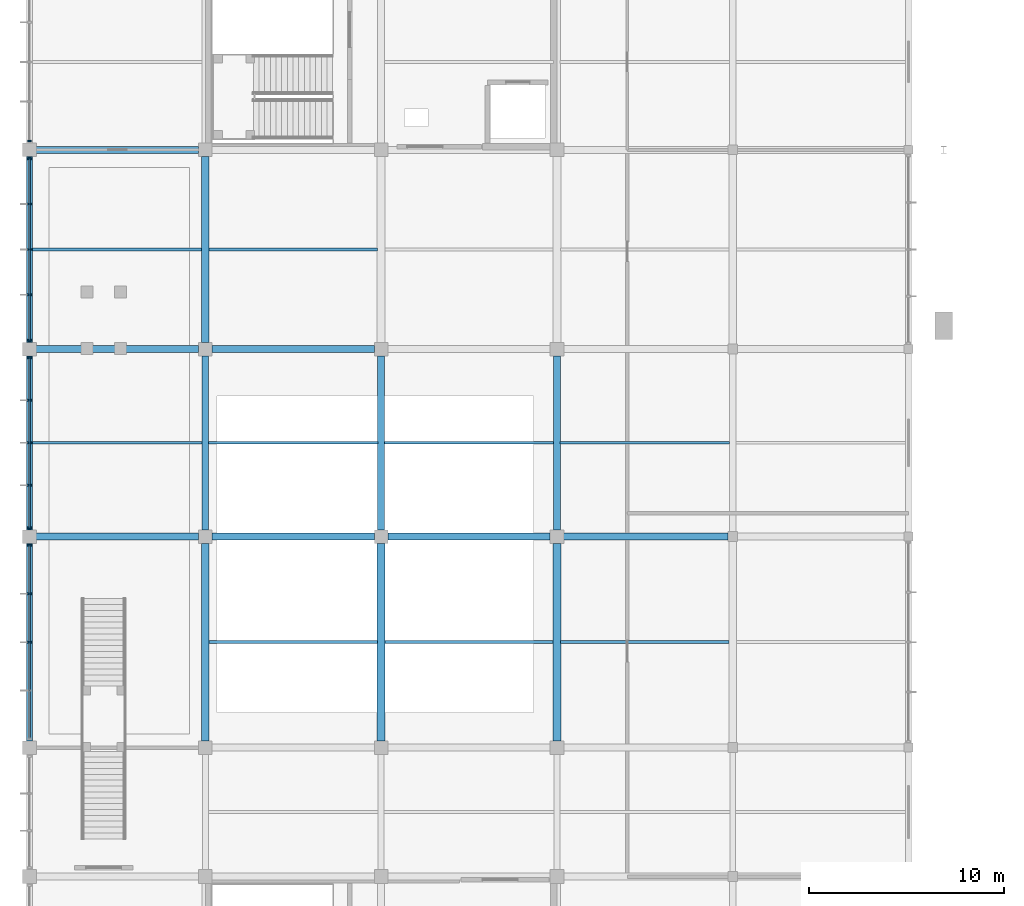
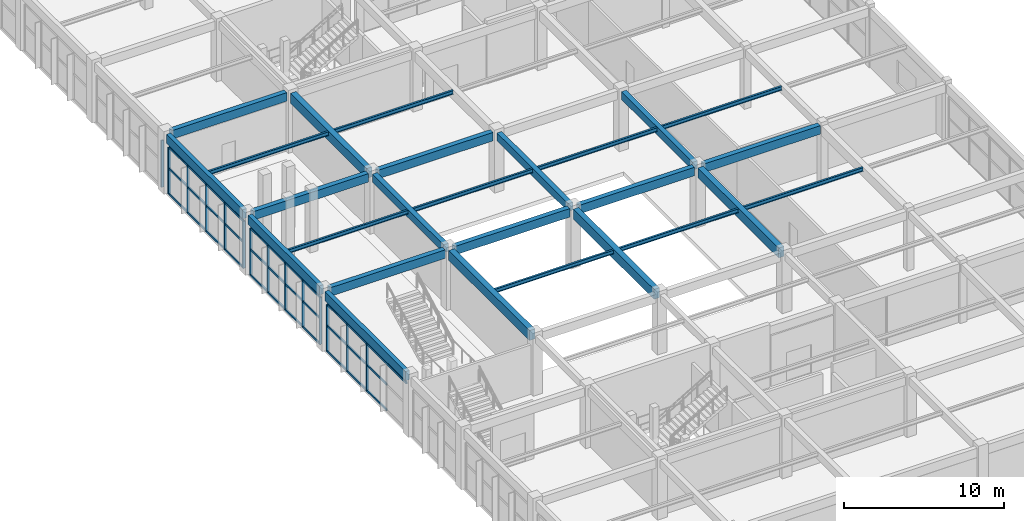
# One storey, part 15 of 74: 39 members, 26 beams, 4 elements without a shape of their own.
"""IFC4 building model written with IfcOpenShell, lengths in metres."""

from ifc_helpers import new_model, si_unit, direction, frame, origin, origin_2d, place, context, subcontext, project, spatial, rectangle, i_section, extrude, material, material_profile, profile_set, type_object, element, aggregate, save


model = new_model("IFC4")

# Units and contexts
model_context = context("Model", 3, precision=1e-05, world=origin(), true_north=direction((0.0, 1.0)))
body_context = subcontext(model_context, "Body", "Model", "MODEL_VIEW")
ifc_project = project(units=[si_unit("LENGTHUNIT", "METRE"), si_unit("AREAUNIT", "SQUARE_METRE"), si_unit("VOLUMEUNIT", "CUBIC_METRE"), si_unit("PLANEANGLEUNIT", "RADIAN"), si_unit("MASSUNIT", "GRAM", prefix="KILO")], contexts=[model_context])

# Site, building, storey
site_placement = place(None, origin())
site = spatial("IfcSite", under=ifc_project, at=site_placement, CompositionType="ELEMENT")
building_placement = place(site_placement, origin())
building = spatial("IfcBuilding", under=site, at=building_placement, Name="Suirenkawa Promenade Aquatics Centre", CompositionType="ELEMENT")
storey_placement = place(building_placement, frame((0.0, 0.0, 4.800048828125)))
storey = spatial("IfcBuildingStorey", under=building, at=storey_placement, Name="L01", CompositionType="ELEMENT", Elevation=4.800048828125)

# Beams
ifc_material_1 = material(Name="Steel IS 2062 E350 (Grade 350)", Category="steel")
ifc_material_profile_1 = material_profile(ifc_material_1, i_section(OverallWidth=0.139892578125, OverallDepth=0.300048828125, WebThickness=0.008056640625, FlangeThickness=0.012939453125, at=origin_2d()), Name="ISMB 300", Category="steel")
ifc_profile_set_1 = profile_set([ifc_material_profile_1], Name="Steel IS 2062 E350 (Grade 350)")
beam_type_1 = type_object("IfcBeamType", Name="BT-JOIST-ISMB300", PredefinedType="JOIST", material=ifc_profile_set_1)
beam_1_placement = place(storey_placement, frame((0.14404296875, 44.39990234375, 4.387939453125), z_axis=(1.0, 0.0, 0.0), x_axis=(0.0, 1.0, 0.0)))
element("IfcBeam", 1, at=beam_1_placement, inside=storey, type_object=beam_type_1, Name="Secondary floor joist JS-02 BM-0524", PredefinedType="JOIST", context=body_context, shape_type="SweptSolid", body=[
    extrude(i_section(OverallWidth=0.139892578125, OverallDepth=0.300048828125, WebThickness=0.008056640625, FlangeThickness=0.012939453125, at=origin_2d()), origin(), (0.0, 0.0, 1.0), 8.68701171875),
])
beam_2_placement = place(storey_placement, frame((0.14404296875, 54.300048828125, 4.387939453125), z_axis=(1.0, 0.0, 0.0), x_axis=(0.0, 1.0, 0.0)))
element("IfcBeam", 2, at=beam_2_placement, inside=storey, type_object=beam_type_1, Name="Secondary floor joist JS-02 BM-0525", PredefinedType="JOIST", context=body_context, shape_type="SweptSolid", body=[
    extrude(i_section(OverallWidth=0.139892578125, OverallDepth=0.300048828125, WebThickness=0.008056640625, FlangeThickness=0.012939453125, at=origin_2d()), origin(), (0.0, 0.0, 1.0), 8.661865234375),
])
beam_3_placement = place(storey_placement, frame((9.194091796875, 34.199951171875, 4.387939453125), z_axis=(1.0, 0.0, 0.0), x_axis=(0.0, 1.0, 0.0)))
element("IfcBeam", 3, at=beam_3_placement, inside=storey, type_object=beam_type_1, Name="Secondary floor joist JS-02 BM-0534", PredefinedType="JOIST", context=body_context, shape_type="SweptSolid", body=[
    extrude(i_section(OverallWidth=0.139892578125, OverallDepth=0.300048828125, WebThickness=0.008056640625, FlangeThickness=0.012939453125, at=origin_2d()), origin(), (0.0, 0.0, 1.0), 8.61181640625),
])
beam_4_placement = place(storey_placement, frame((9.1689453125, 44.39990234375, 4.387939453125), z_axis=(1.0, 0.0, 0.0), x_axis=(0.0, 1.0, 0.0)))
element("IfcBeam", 4, at=beam_4_placement, inside=storey, type_object=beam_type_1, Name="Secondary floor joist JS-02 BM-0535", PredefinedType="JOIST", context=body_context, shape_type="SweptSolid", body=[
    extrude(i_section(OverallWidth=0.139892578125, OverallDepth=0.300048828125, WebThickness=0.008056640625, FlangeThickness=0.012939453125, at=origin_2d()), origin(), (0.0, 0.0, 1.0), 8.662109375),
])
for number, where, z_axis, x_axis, name in (
    (5, (9.194091796875, 54.300048828125, 4.387939453125), (1.0, 0.0, 0.0), (0.0, 1.0, 0.0), "Secondary floor joist JS-02 BM-0536"),
    (6, (18.194091796875, 34.199951171875, 4.387939453125), (1.0, 0.0, 0.0), (0.0, 1.0, 0.0), "Secondary floor joist JS-02 BM-0545"),
):
    element("IfcBeam", number, at=place(storey_placement, frame(where, z_axis=z_axis, x_axis=x_axis)), inside=storey, type_object=beam_type_1, Name=name, PredefinedType="JOIST", context=body_context, shape_type="SweptSolid", body=[
        extrude(i_section(OverallWidth=0.139892578125, OverallDepth=0.300048828125, WebThickness=0.008056640625, FlangeThickness=0.012939453125, at=origin_2d()), origin(), (0.0, 0.0, 1.0), 8.61181640625),
    ])
beam_5_placement = place(storey_placement, frame((18.1689453125, 44.39990234375, 4.387939453125), z_axis=(1.0, 0.0, 0.0), x_axis=(0.0, 1.0, 0.0)))
element("IfcBeam", 7, at=beam_5_placement, inside=storey, type_object=beam_type_1, Name="Secondary floor joist JS-02 BM-0546", PredefinedType="JOIST", context=body_context, shape_type="SweptSolid", body=[
    extrude(i_section(OverallWidth=0.139892578125, OverallDepth=0.300048828125, WebThickness=0.008056640625, FlangeThickness=0.012939453125, at=origin_2d()), origin(), (0.0, 0.0, 1.0), 8.662109375),
])
beam_6_placement = place(storey_placement, frame((27.194091796875, 34.199951171875, 4.387939453125), z_axis=(1.0, 0.0, 0.0), x_axis=(0.0, 1.0, 0.0)))
element("IfcBeam", 8, at=beam_6_placement, inside=storey, type_object=beam_type_1, Name="Secondary floor joist JS-02 BM-0557", PredefinedType="JOIST", context=body_context, shape_type="SweptSolid", body=[
    extrude(i_section(OverallWidth=0.139892578125, OverallDepth=0.300048828125, WebThickness=0.008056640625, FlangeThickness=0.012939453125, at=origin_2d()), origin(), (0.0, 0.0, 1.0), 8.61181640625),
])
beam_7_placement = place(storey_placement, frame((27.1689453125, 44.39990234375, 4.387939453125), z_axis=(1.0, 0.0, 0.0), x_axis=(0.0, 1.0, 0.0)))
element("IfcBeam", 9, at=beam_7_placement, inside=storey, type_object=beam_type_1, Name="Secondary floor joist JS-02 BM-0558", PredefinedType="JOIST", context=body_context, shape_type="SweptSolid", body=[
    extrude(i_section(OverallWidth=0.139892578125, OverallDepth=0.300048828125, WebThickness=0.008056640625, FlangeThickness=0.012939453125, at=origin_2d()), origin(), (0.0, 0.0, 1.0), 8.662109375),
])
ifc_material_2 = material(Name="Concrete M35", Category="concrete")
ifc_material_profile_2 = material_profile(ifc_material_2, rectangle(XDim=0.35009765625, YDim=0.60009765625, at=origin_2d()), Name="RC BM 350x600", Category="concrete")
ifc_profile_set_2 = profile_set([ifc_material_profile_2], Name="Concrete M35")
beam_type_2 = type_object("IfcBeamType", Name="BT-RC-350x600", PredefinedType="BEAM", material=ifc_profile_set_2)
for number, where, z_axis, x_axis, name in (
    (10, (9.0, 39.944091796875, 4.239990234375), (0.0, 1.0, 0.0), (-1.0, 0.0, 0.0), "Floor beam BM-02 BM-0466"),
    (11, (18.0, 39.944091796875, 4.239990234375), (0.0, 1.0, 0.0), (-1.0, 0.0, 0.0), "Floor beam BM-02 BM-0478"),
    (12, (27.0, 39.944091796875, 4.239990234375), (0.0, 1.0, 0.0), (-1.0, 0.0, 0.0), "Floor beam BM-02 BM-0490"),
):
    element("IfcBeam", number, at=place(storey_placement, frame(where, z_axis=z_axis, x_axis=x_axis)), inside=storey, type_object=beam_type_2, Name=name, PredefinedType="BEAM", context=body_context, shape_type="SweptSolid", body=[
        extrude(rectangle(XDim=0.35009765625, YDim=0.60009765625, at=origin_2d()), origin(), (0.0, 0.0, 1.0), 8.911865234375),
    ])
ifc_material_profile_3 = material_profile(ifc_material_2, rectangle(XDim=0.35009765625, YDim=0.64990234375, at=origin_2d()), Name="RC BM 350x650", Category="concrete")
ifc_profile_set_3 = profile_set([ifc_material_profile_3], Name="Concrete M35")
beam_type_3 = type_object("IfcBeamType", Name="BT-RC-350x650", PredefinedType="BEAM", material=ifc_profile_set_3)
for number, where, z_axis, x_axis, name in (
    (13, (0.343994140625, 39.60009765625, 4.21484375), (1.0, 0.0, 0.0), (0.0, 1.0, 0.0), "Floor beam BM-03 BM-0405"),
    (14, (9.343994140625, 39.60009765625, 4.21484375), (1.0, 0.0, 0.0), (0.0, 1.0, 0.0), "Floor beam BM-03 BM-0406"),
    (15, (18.343994140625, 39.60009765625, 4.21484375), (1.0, 0.0, 0.0), (0.0, 1.0, 0.0), "Floor beam BM-03 BM-0407"),
):
    element("IfcBeam", number, at=place(storey_placement, frame(where, z_axis=z_axis, x_axis=x_axis)), inside=storey, type_object=beam_type_3, Name=name, PredefinedType="BEAM", context=body_context, shape_type="SweptSolid", body=[
        extrude(rectangle(XDim=0.35009765625, YDim=0.64990234375, at=origin_2d()), origin(), (0.0, 0.0, 1.0), 8.31201171875),
    ])
beam_8_placement = place(storey_placement, frame((27.343994140625, 39.60009765625, 4.21484375), z_axis=(1.0, 0.0, 0.0), x_axis=(0.0, 1.0, 0.0)))
element("IfcBeam", 16, at=beam_8_placement, inside=storey, type_object=beam_type_3, Name="Floor beam BM-03 BM-0408", PredefinedType="BEAM", context=body_context, shape_type="SweptSolid", body=[
    extrude(rectangle(XDim=0.35009765625, YDim=0.64990234375, at=origin_2d()), origin(), (0.0, 0.0, 1.0), 8.412109375),
])
for number, where, z_axis, x_axis, name in (
    (17, (0.343994140625, 49.199951171875, 4.21484375), (1.0, 0.0, 0.0), (0.0, 1.0, 0.0), "Floor beam BM-03 BM-0410"),
    (18, (9.343994140625, 49.199951171875, 4.21484375), (1.0, 0.0, 0.0), (0.0, 1.0, 0.0), "Floor beam BM-03 BM-0411"),
    (19, (0.343994140625, 59.39990234375, 4.21484375), (1.0, 0.0, 0.0), (0.0, 1.0, 0.0), "Floor beam BM-03 BM-0415"),
):
    element("IfcBeam", number, at=place(storey_placement, frame(where, z_axis=z_axis, x_axis=x_axis)), inside=storey, type_object=beam_type_3, Name=name, PredefinedType="BEAM", context=body_context, shape_type="SweptSolid", body=[
        extrude(rectangle(XDim=0.35009765625, YDim=0.64990234375, at=origin_2d()), origin(), (0.0, 0.0, 1.0), 8.31201171875),
    ])
ifc_material_3 = material(Name="Concrete M40", Category="concrete")
ifc_material_profile_4 = material_profile(ifc_material_3, rectangle(XDim=0.39990234375, YDim=0.75, at=origin_2d()), Name="RC BM 400x750", Category="concrete")
ifc_profile_set_4 = profile_set([ifc_material_profile_4], Name="Concrete M40")
beam_type_4 = type_object("IfcBeamType", Name="BT-RC-400x750", PredefinedType="BEAM", material=ifc_profile_set_4)
beam_9_placement = place(storey_placement, frame((9.0, 29.14404296875, 4.1650390625), z_axis=(0.0, 1.0, 0.0), x_axis=(-1.0, 0.0, 0.0)))
element("IfcBeam", 20, at=beam_9_placement, inside=storey, type_object=beam_type_4, Name="Floor beam BM-05 BM-0465", PredefinedType="BEAM", context=body_context, shape_type="SweptSolid", body=[
    extrude(rectangle(XDim=0.39990234375, YDim=0.75, at=origin_2d()), origin(), (0.0, 0.0, 1.0), 10.112060546875),
])
beam_10_placement = place(storey_placement, frame((9.0, 49.5439453125, 4.1650390625), z_axis=(0.0, 1.0, 0.0), x_axis=(-1.0, 0.0, 0.0)))
element("IfcBeam", 21, at=beam_10_placement, inside=storey, type_object=beam_type_4, Name="Floor beam BM-05 BM-0467", PredefinedType="BEAM", context=body_context, shape_type="SweptSolid", body=[
    extrude(rectangle(XDim=0.39990234375, YDim=0.75, at=origin_2d()), origin(), (0.0, 0.0, 1.0), 9.511962890625),
])
for number, where, z_axis, x_axis, name in (
    (22, (18.0, 29.14404296875, 4.1650390625), (0.0, 1.0, 0.0), (-1.0, 0.0, 0.0), "Floor beam BM-05 BM-0477"),
    (23, (27.0, 29.14404296875, 4.1650390625), (0.0, 1.0, 0.0), (-1.0, 0.0, 0.0), "Floor beam BM-05 BM-0489"),
):
    element("IfcBeam", number, at=place(storey_placement, frame(where, z_axis=z_axis, x_axis=x_axis)), inside=storey, type_object=beam_type_4, Name=name, PredefinedType="BEAM", context=body_context, shape_type="SweptSolid", body=[
        extrude(rectangle(XDim=0.39990234375, YDim=0.75, at=origin_2d()), origin(), (0.0, 0.0, 1.0), 10.112060546875),
    ])
ifc_material_profile_5 = material_profile(ifc_material_3, rectangle(XDim=0.300048828125, YDim=0.699951171875, at=origin_2d()), Name="RC SPANDREL 300x700", Category="concrete")
ifc_profile_set_5 = profile_set([ifc_material_profile_5], Name="Concrete M40")
beam_type_5 = type_object("IfcBeamType", Name="BT-SPANDREL-300x700", PredefinedType="SPANDREL", material=ifc_profile_set_5)
beam_11_placement = place(storey_placement, frame((0.0, 29.14404296875, 4.18994140625), z_axis=(0.0, 1.0, 0.0), x_axis=(-1.0, 0.0, 0.0)))
element("IfcBeam", 24, at=beam_11_placement, inside=storey, type_object=beam_type_5, Name="Floor beam SP-01 BM-0453", PredefinedType="SPANDREL", context=body_context, shape_type="SweptSolid", body=[
    extrude(rectangle(XDim=0.300048828125, YDim=0.699951171875, at=origin_2d()), origin(), (0.0, 0.0, 1.0), 10.112060546875),
])
beam_12_placement = place(storey_placement, frame((0.0, 39.944091796875, 4.18994140625), z_axis=(0.0, 1.0, 0.0), x_axis=(-1.0, 0.0, 0.0)))
element("IfcBeam", 25, at=beam_12_placement, inside=storey, type_object=beam_type_5, Name="Floor beam SP-01 BM-0454", PredefinedType="SPANDREL", context=body_context, shape_type="SweptSolid", body=[
    extrude(rectangle(XDim=0.300048828125, YDim=0.699951171875, at=origin_2d()), origin(), (0.0, 0.0, 1.0), 8.911865234375),
])
beam_13_placement = place(storey_placement, frame((0.0, 49.5439453125, 4.18994140625), z_axis=(0.0, 1.0, 0.0), x_axis=(-1.0, 0.0, 0.0)))
element("IfcBeam", 26, at=beam_13_placement, inside=storey, type_object=beam_type_5, Name="Floor beam SP-01 BM-0455", PredefinedType="SPANDREL", context=body_context, shape_type="SweptSolid", body=[
    extrude(rectangle(XDim=0.300048828125, YDim=0.699951171875, at=origin_2d()), origin(), (0.0, 0.0, 1.0), 9.511962890625),
])

# Curtain wall, members
ifc_material_4 = material(Name="Anodised aluminium 6063-T6", Category="aluminium")
curtain_wall_type_1 = type_object("IfcCurtainWallType", Name="CWAT-V5WL01-52", PredefinedType="NOTDEFINED", material=ifc_material_4)
curtain_wall_1_placement = place(storey_placement, origin())
curtain_wall_1 = element("IfcCurtainWall", 27, at=curtain_wall_1_placement, inside=storey, type_object=curtain_wall_type_1, Name="Curtain wall CWA-52 CW-099", PredefinedType="NOTDEFINED")
ifc_material_profile_6 = material_profile(ifc_material_4, rectangle(XDim=0.094970703125, YDim=0.18994140625, at=origin_2d()), Name="ALU MULL 95x190", Category="aluminium")
ifc_profile_set_6 = profile_set([ifc_material_profile_6], Name="Anodised aluminium 6063-T6")
member_type_1 = type_object("IfcMemberType", Name="CWM-190x95", PredefinedType="MULLION", material=ifc_profile_set_6)
member_1_placement = place(storey_placement, frame((0.0, 34.199951171875, 0.0), z_axis=(0.0, 0.0, 1.0), x_axis=(0.0, 1.0, 0.0)))
member_1 = element("IfcMember", 28, at=member_1_placement, type_object=member_type_1, Name="Mullion ML-02 CWM-01969", PredefinedType="MULLION", context=body_context, shape_type="SweptSolid", body=[
    extrude(rectangle(XDim=0.094970703125, YDim=0.18994140625, at=origin_2d()), origin(), (0.0, 0.0, 1.0), 3.570068359375),
])
member_2_placement = place(storey_placement, frame((0.0, 36.675537109375, 0.0), z_axis=(0.0, 0.0, 1.0), x_axis=(0.0, 1.0, 0.0)))
member_2 = element("IfcMember", 29, at=member_2_placement, type_object=member_type_1, Name="Mullion ML-02 CWM-01970", PredefinedType="MULLION", context=body_context, shape_type="SweptSolid", body=[
    extrude(rectangle(XDim=0.094970703125, YDim=0.18994140625, at=origin_2d()), origin(), (0.0, 0.0, 1.0), 3.570068359375),
])
member_3_placement = place(storey_placement, frame((0.0, 39.15087890625, 0.0), z_axis=(0.0, 0.0, 1.0), x_axis=(0.0, 1.0, 0.0)))
member_3 = element("IfcMember", 30, at=member_3_placement, type_object=member_type_1, Name="Mullion ML-02 CWM-01971", PredefinedType="MULLION", context=body_context, shape_type="SweptSolid", body=[
    extrude(rectangle(XDim=0.094970703125, YDim=0.18994140625, at=origin_2d()), origin(), (0.0, 0.0, 1.0), 3.570068359375),
])

curtain_wall_type_2 = type_object("IfcCurtainWallType", Name="CWAT-V5WL01-54", PredefinedType="NOTDEFINED", material=ifc_material_4)
curtain_wall_2_placement = place(storey_placement, origin())
curtain_wall_2 = element("IfcCurtainWall", 31, at=curtain_wall_2_placement, inside=storey, type_object=curtain_wall_type_2, Name="Curtain wall CWA-54 CW-101", PredefinedType="NOTDEFINED")
member_4_placement = place(storey_placement, frame((0.0, 40.049072265625, 0.0), z_axis=(0.0, 0.0, 1.0), x_axis=(0.0, 1.0, 0.0)))
member_4 = element("IfcMember", 32, at=member_4_placement, type_object=member_type_1, Name="Mullion ML-02 CWM-02011", PredefinedType="MULLION", context=body_context, shape_type="SweptSolid", body=[
    extrude(rectangle(XDim=0.094970703125, YDim=0.18994140625, at=origin_2d()), origin(), (0.0, 0.0, 1.0), 3.570068359375),
])
member_5_placement = place(storey_placement, frame((0.0, 42.224609375, 0.0), z_axis=(0.0, 0.0, 1.0), x_axis=(0.0, 1.0, 0.0)))
member_5 = element("IfcMember", 33, at=member_5_placement, type_object=member_type_1, Name="Mullion ML-02 CWM-02012", PredefinedType="MULLION", context=body_context, shape_type="SweptSolid", body=[
    extrude(rectangle(XDim=0.094970703125, YDim=0.18994140625, at=origin_2d()), origin(), (0.0, 0.0, 1.0), 3.570068359375),
])
member_6_placement = place(storey_placement, frame((0.0, 44.39990234375, 0.0), z_axis=(0.0, 0.0, 1.0), x_axis=(0.0, 1.0, 0.0)))
member_6 = element("IfcMember", 34, at=member_6_placement, type_object=member_type_1, Name="Mullion ML-02 CWM-02013", PredefinedType="MULLION", context=body_context, shape_type="SweptSolid", body=[
    extrude(rectangle(XDim=0.094970703125, YDim=0.18994140625, at=origin_2d()), origin(), (0.0, 0.0, 1.0), 3.570068359375),
])
member_7_placement = place(storey_placement, frame((0.0, 46.575439453125, 0.0), z_axis=(0.0, 0.0, 1.0), x_axis=(0.0, 1.0, 0.0)))
member_7 = element("IfcMember", 35, at=member_7_placement, type_object=member_type_1, Name="Mullion ML-02 CWM-02014", PredefinedType="MULLION", context=body_context, shape_type="SweptSolid", body=[
    extrude(rectangle(XDim=0.094970703125, YDim=0.18994140625, at=origin_2d()), origin(), (0.0, 0.0, 1.0), 3.570068359375),
])
member_8_placement = place(storey_placement, frame((0.0, 48.7509765625, 0.0), z_axis=(0.0, 0.0, 1.0), x_axis=(0.0, 1.0, 0.0)))
member_8 = element("IfcMember", 36, at=member_8_placement, type_object=member_type_1, Name="Mullion ML-02 CWM-02015", PredefinedType="MULLION", context=body_context, shape_type="SweptSolid", body=[
    extrude(rectangle(XDim=0.094970703125, YDim=0.18994140625, at=origin_2d()), origin(), (0.0, 0.0, 1.0), 3.570068359375),
])

curtain_wall_type_3 = type_object("IfcCurtainWallType", Name="CWAT-V5WL01-55", PredefinedType="NOTDEFINED", material=ifc_material_4)
curtain_wall_3_placement = place(storey_placement, origin())
curtain_wall_3 = element("IfcCurtainWall", 37, at=curtain_wall_3_placement, inside=storey, type_object=curtain_wall_type_3, Name="Curtain wall CWA-55 CW-102", PredefinedType="NOTDEFINED")
member_9_placement = place(storey_placement, frame((0.0, 49.64892578125, 0.0), z_axis=(0.0, 0.0, 1.0), x_axis=(0.0, 1.0, 0.0)))
member_9 = element("IfcMember", 38, at=member_9_placement, type_object=member_type_1, Name="Mullion ML-02 CWM-02033", PredefinedType="MULLION", context=body_context, shape_type="SweptSolid", body=[
    extrude(rectangle(XDim=0.094970703125, YDim=0.18994140625, at=origin_2d()), origin(), (0.0, 0.0, 1.0), 3.570068359375),
])
member_10_placement = place(storey_placement, frame((0.0, 51.974609375, 0.0), z_axis=(0.0, 0.0, 1.0), x_axis=(0.0, 1.0, 0.0)))
member_10 = element("IfcMember", 39, at=member_10_placement, type_object=member_type_1, Name="Mullion ML-02 CWM-02034", PredefinedType="MULLION", context=body_context, shape_type="SweptSolid", body=[
    extrude(rectangle(XDim=0.094970703125, YDim=0.18994140625, at=origin_2d()), origin(), (0.0, 0.0, 1.0), 3.570068359375),
])
member_11_placement = place(storey_placement, frame((0.0, 54.300048828125, 0.0), z_axis=(0.0, 0.0, 1.0), x_axis=(0.0, 1.0, 0.0)))
member_11 = element("IfcMember", 40, at=member_11_placement, type_object=member_type_1, Name="Mullion ML-02 CWM-02035", PredefinedType="MULLION", context=body_context, shape_type="SweptSolid", body=[
    extrude(rectangle(XDim=0.094970703125, YDim=0.18994140625, at=origin_2d()), origin(), (0.0, 0.0, 1.0), 3.570068359375),
])
member_12_placement = place(storey_placement, frame((0.0, 56.62548828125, 0.0), z_axis=(0.0, 0.0, 1.0), x_axis=(0.0, 1.0, 0.0)))
member_12 = element("IfcMember", 41, at=member_12_placement, type_object=member_type_1, Name="Mullion ML-02 CWM-02036", PredefinedType="MULLION", context=body_context, shape_type="SweptSolid", body=[
    extrude(rectangle(XDim=0.094970703125, YDim=0.18994140625, at=origin_2d()), origin(), (0.0, 0.0, 1.0), 3.570068359375),
])
member_13_placement = place(storey_placement, frame((0.0, 58.950927734375, 0.0), z_axis=(0.0, 0.0, 1.0), x_axis=(0.0, 1.0, 0.0)))
member_13 = element("IfcMember", 42, at=member_13_placement, type_object=member_type_1, Name="Mullion ML-02 CWM-02037", PredefinedType="MULLION", context=body_context, shape_type="SweptSolid", body=[
    extrude(rectangle(XDim=0.094970703125, YDim=0.18994140625, at=origin_2d()), origin(), (0.0, 0.0, 1.0), 3.570068359375),
])

# Curtain wall, member
curtain_wall_type_4 = type_object("IfcCurtainWallType", Name="CWAT-V5WL01-49", PredefinedType="NOTDEFINED", material=ifc_material_4)
curtain_wall_4_placement = place(storey_placement, origin())
curtain_wall_4 = element("IfcCurtainWall", 43, at=curtain_wall_4_placement, inside=storey, type_object=curtain_wall_type_4, Name="Curtain wall CWA-49 CW-104", PredefinedType="NOTDEFINED")
member_14_placement = place(storey_placement, frame((0.0, 59.84912109375, 0.0), z_axis=(0.0, 0.0, 1.0), x_axis=(0.0, 1.0, 0.0)))
member_14 = element("IfcMember", 44, at=member_14_placement, type_object=member_type_1, Name="Mullion ML-02 CWM-02077", PredefinedType="MULLION", context=body_context, shape_type="SweptSolid", body=[
    extrude(rectangle(XDim=0.094970703125, YDim=0.18994140625, at=origin_2d()), origin(), (0.0, 0.0, 1.0), 3.570068359375),
])
aggregate(curtain_wall_4, [member_14])

# Member
ifc_material_profile_7 = material_profile(ifc_material_4, rectangle(XDim=0.094970703125, YDim=0.14990234375, at=origin_2d()), Name="ALU TRAN 95x150", Category="aluminium")
ifc_profile_set_7 = profile_set([ifc_material_profile_7], Name="Anodised aluminium 6063-T6")
member_type_2 = type_object("IfcMemberType", Name="CWT-150x95", PredefinedType="USERDEFINED", material=ifc_profile_set_7)
member_15_placement = place(storey_placement, frame((0.0, 31.724609375, 0.0), z_axis=(0.0, 1.0, 0.0), x_axis=(-1.0, 0.0, 0.0)))
member_15 = element("IfcMember", 45, at=member_15_placement, type_object=member_type_2, Name="Transom TR-02 CWT-01973", ObjectType="TRANSOM", PredefinedType="USERDEFINED", context=body_context, shape_type="SweptSolid", body=[
    extrude(rectangle(XDim=0.094970703125, YDim=0.14990234375, at=origin_2d()), origin(), (0.0, 0.0, 1.0), 2.475341796875),
])

member_16_placement = place(storey_placement, frame((0.0, 34.199951171875, 0.0), z_axis=(0.0, 1.0, 0.0), x_axis=(-1.0, 0.0, 0.0)))
member_16 = element("IfcMember", 46, at=member_16_placement, type_object=member_type_2, Name="Transom TR-02 CWT-01974", ObjectType="TRANSOM", PredefinedType="USERDEFINED", context=body_context, shape_type="SweptSolid", body=[
    extrude(rectangle(XDim=0.094970703125, YDim=0.14990234375, at=origin_2d()), origin(), (0.0, 0.0, 1.0), 2.4755859375),
])

member_17_placement = place(storey_placement, frame((0.0, 36.675537109375, 0.0), z_axis=(0.0, 1.0, 0.0), x_axis=(-1.0, 0.0, 0.0)))
member_17 = element("IfcMember", 47, at=member_17_placement, type_object=member_type_2, Name="Transom TR-02 CWT-01975", ObjectType="TRANSOM", PredefinedType="USERDEFINED", context=body_context, shape_type="SweptSolid", body=[
    extrude(rectangle(XDim=0.094970703125, YDim=0.14990234375, at=origin_2d()), origin(), (0.0, 0.0, 1.0), 2.475341796875),
])

member_18_placement = place(storey_placement, frame((0.0, 31.724609375, 1.949951171875), z_axis=(0.0, 1.0, 0.0), x_axis=(-1.0, 0.0, 0.0)))
member_18 = element("IfcMember", 48, at=member_18_placement, type_object=member_type_2, Name="Transom TR-02 CWT-01977", ObjectType="TRANSOM", PredefinedType="USERDEFINED", context=body_context, shape_type="SweptSolid", body=[
    extrude(rectangle(XDim=0.094970703125, YDim=0.14990234375, at=origin_2d()), origin(), (0.0, 0.0, 1.0), 2.475341796875),
])

member_19_placement = place(storey_placement, frame((0.0, 34.199951171875, 1.949951171875), z_axis=(0.0, 1.0, 0.0), x_axis=(-1.0, 0.0, 0.0)))
member_19 = element("IfcMember", 49, at=member_19_placement, type_object=member_type_2, Name="Transom TR-02 CWT-01978", ObjectType="TRANSOM", PredefinedType="USERDEFINED", context=body_context, shape_type="SweptSolid", body=[
    extrude(rectangle(XDim=0.094970703125, YDim=0.14990234375, at=origin_2d()), origin(), (0.0, 0.0, 1.0), 2.4755859375),
])

member_20_placement = place(storey_placement, frame((0.0, 36.675537109375, 1.949951171875), z_axis=(0.0, 1.0, 0.0), x_axis=(-1.0, 0.0, 0.0)))
member_20 = element("IfcMember", 50, at=member_20_placement, type_object=member_type_2, Name="Transom TR-02 CWT-01979", ObjectType="TRANSOM", PredefinedType="USERDEFINED", context=body_context, shape_type="SweptSolid", body=[
    extrude(rectangle(XDim=0.094970703125, YDim=0.14990234375, at=origin_2d()), origin(), (0.0, 0.0, 1.0), 2.475341796875),
])

member_21_placement = place(storey_placement, frame((0.0, 29.2490234375, 3.570068359375), z_axis=(0.0, 1.0, 0.0), x_axis=(-1.0, 0.0, 0.0)))
member_21 = element("IfcMember", 51, at=member_21_placement, type_object=member_type_2, Name="Roofline transom TR-02 CWT-01980", ObjectType="TRANSOM", PredefinedType="USERDEFINED", context=body_context, shape_type="SweptSolid", body=[
    extrude(rectangle(XDim=0.094970703125, YDim=0.14990234375, at=origin_2d()), origin(), (0.0, 0.0, 1.0), 9.90185546875),
])

aggregate(curtain_wall_1, [member_1, member_2, member_3, member_15, member_16, member_17, member_18, member_19, member_20, member_21])

member_22_placement = place(storey_placement, frame((0.0, 40.049072265625, 0.0), z_axis=(0.0, 1.0, 0.0), x_axis=(-1.0, 0.0, 0.0)))
member_22 = element("IfcMember", 52, at=member_22_placement, type_object=member_type_2, Name="Transom TR-02 CWT-02016", ObjectType="TRANSOM", PredefinedType="USERDEFINED", context=body_context, shape_type="SweptSolid", body=[
    extrude(rectangle(XDim=0.094970703125, YDim=0.14990234375, at=origin_2d()), origin(), (0.0, 0.0, 1.0), 2.175537109375),
])

member_23_placement = place(storey_placement, frame((0.0, 42.224609375, 0.0), z_axis=(0.0, 1.0, 0.0), x_axis=(-1.0, 0.0, 0.0)))
member_23 = element("IfcMember", 53, at=member_23_placement, type_object=member_type_2, Name="Transom TR-02 CWT-02017", ObjectType="TRANSOM", PredefinedType="USERDEFINED", context=body_context, shape_type="SweptSolid", body=[
    extrude(rectangle(XDim=0.094970703125, YDim=0.14990234375, at=origin_2d()), origin(), (0.0, 0.0, 1.0), 2.17529296875),
])

member_24_placement = place(storey_placement, frame((0.0, 44.39990234375, 0.0), z_axis=(0.0, 1.0, 0.0), x_axis=(-1.0, 0.0, 0.0)))
member_24 = element("IfcMember", 54, at=member_24_placement, type_object=member_type_2, Name="Transom TR-02 CWT-02018", ObjectType="TRANSOM", PredefinedType="USERDEFINED", context=body_context, shape_type="SweptSolid", body=[
    extrude(rectangle(XDim=0.094970703125, YDim=0.14990234375, at=origin_2d()), origin(), (0.0, 0.0, 1.0), 2.175537109375),
])

member_25_placement = place(storey_placement, frame((0.0, 46.575439453125, 0.0), z_axis=(0.0, 1.0, 0.0), x_axis=(-1.0, 0.0, 0.0)))
member_25 = element("IfcMember", 55, at=member_25_placement, type_object=member_type_2, Name="Transom TR-02 CWT-02019", ObjectType="TRANSOM", PredefinedType="USERDEFINED", context=body_context, shape_type="SweptSolid", body=[
    extrude(rectangle(XDim=0.094970703125, YDim=0.14990234375, at=origin_2d()), origin(), (0.0, 0.0, 1.0), 2.175537109375),
])

member_26_placement = place(storey_placement, frame((0.0, 40.049072265625, 1.949951171875), z_axis=(0.0, 1.0, 0.0), x_axis=(-1.0, 0.0, 0.0)))
member_26 = element("IfcMember", 56, at=member_26_placement, type_object=member_type_2, Name="Transom TR-02 CWT-02020", ObjectType="TRANSOM", PredefinedType="USERDEFINED", context=body_context, shape_type="SweptSolid", body=[
    extrude(rectangle(XDim=0.094970703125, YDim=0.14990234375, at=origin_2d()), origin(), (0.0, 0.0, 1.0), 2.175537109375),
])

member_27_placement = place(storey_placement, frame((0.0, 42.224609375, 1.949951171875), z_axis=(0.0, 1.0, 0.0), x_axis=(-1.0, 0.0, 0.0)))
member_27 = element("IfcMember", 57, at=member_27_placement, type_object=member_type_2, Name="Transom TR-02 CWT-02021", ObjectType="TRANSOM", PredefinedType="USERDEFINED", context=body_context, shape_type="SweptSolid", body=[
    extrude(rectangle(XDim=0.094970703125, YDim=0.14990234375, at=origin_2d()), origin(), (0.0, 0.0, 1.0), 2.17529296875),
])

member_28_placement = place(storey_placement, frame((0.0, 44.39990234375, 1.949951171875), z_axis=(0.0, 1.0, 0.0), x_axis=(-1.0, 0.0, 0.0)))
member_28 = element("IfcMember", 58, at=member_28_placement, type_object=member_type_2, Name="Transom TR-02 CWT-02022", ObjectType="TRANSOM", PredefinedType="USERDEFINED", context=body_context, shape_type="SweptSolid", body=[
    extrude(rectangle(XDim=0.094970703125, YDim=0.14990234375, at=origin_2d()), origin(), (0.0, 0.0, 1.0), 2.175537109375),
])

member_29_placement = place(storey_placement, frame((0.0, 46.575439453125, 1.949951171875), z_axis=(0.0, 1.0, 0.0), x_axis=(-1.0, 0.0, 0.0)))
member_29 = element("IfcMember", 59, at=member_29_placement, type_object=member_type_2, Name="Transom TR-02 CWT-02023", ObjectType="TRANSOM", PredefinedType="USERDEFINED", context=body_context, shape_type="SweptSolid", body=[
    extrude(rectangle(XDim=0.094970703125, YDim=0.14990234375, at=origin_2d()), origin(), (0.0, 0.0, 1.0), 2.175537109375),
])

member_30_placement = place(storey_placement, frame((0.0, 40.049072265625, 3.570068359375), z_axis=(0.0, 1.0, 0.0), x_axis=(-1.0, 0.0, 0.0)))
member_30 = element("IfcMember", 60, at=member_30_placement, type_object=member_type_2, Name="Roofline transom TR-02 CWT-02024", ObjectType="TRANSOM", PredefinedType="USERDEFINED", context=body_context, shape_type="SweptSolid", body=[
    extrude(rectangle(XDim=0.094970703125, YDim=0.14990234375, at=origin_2d()), origin(), (0.0, 0.0, 1.0), 8.701904296875),
])

aggregate(curtain_wall_2, [member_4, member_5, member_6, member_7, member_8, member_22, member_23, member_24, member_25, member_26, member_27, member_28, member_29, member_30])

member_31_placement = place(storey_placement, frame((0.0, 49.64892578125, 0.0), z_axis=(0.0, 1.0, 0.0), x_axis=(-1.0, 0.0, 0.0)))
member_31 = element("IfcMember", 61, at=member_31_placement, type_object=member_type_2, Name="Transom TR-02 CWT-02038", ObjectType="TRANSOM", PredefinedType="USERDEFINED", context=body_context, shape_type="SweptSolid", body=[
    extrude(rectangle(XDim=0.094970703125, YDim=0.14990234375, at=origin_2d()), origin(), (0.0, 0.0, 1.0), 2.32568359375),
])

member_32_placement = place(storey_placement, frame((0.0, 51.974609375, 0.0), z_axis=(0.0, 1.0, 0.0), x_axis=(-1.0, 0.0, 0.0)))
member_32 = element("IfcMember", 62, at=member_32_placement, type_object=member_type_2, Name="Transom TR-02 CWT-02039", ObjectType="TRANSOM", PredefinedType="USERDEFINED", context=body_context, shape_type="SweptSolid", body=[
    extrude(rectangle(XDim=0.094970703125, YDim=0.14990234375, at=origin_2d()), origin(), (0.0, 0.0, 1.0), 2.325439453125),
])

member_33_placement = place(storey_placement, frame((0.0, 54.300048828125, 0.0), z_axis=(0.0, 1.0, 0.0), x_axis=(-1.0, 0.0, 0.0)))
member_33 = element("IfcMember", 63, at=member_33_placement, type_object=member_type_2, Name="Transom TR-02 CWT-02040", ObjectType="TRANSOM", PredefinedType="USERDEFINED", context=body_context, shape_type="SweptSolid", body=[
    extrude(rectangle(XDim=0.094970703125, YDim=0.14990234375, at=origin_2d()), origin(), (0.0, 0.0, 1.0), 2.325439453125),
])

member_34_placement = place(storey_placement, frame((0.0, 56.62548828125, 0.0), z_axis=(0.0, 1.0, 0.0), x_axis=(-1.0, 0.0, 0.0)))
member_34 = element("IfcMember", 64, at=member_34_placement, type_object=member_type_2, Name="Transom TR-02 CWT-02041", ObjectType="TRANSOM", PredefinedType="USERDEFINED", context=body_context, shape_type="SweptSolid", body=[
    extrude(rectangle(XDim=0.094970703125, YDim=0.14990234375, at=origin_2d()), origin(), (0.0, 0.0, 1.0), 2.325439453125),
])

member_35_placement = place(storey_placement, frame((0.0, 49.64892578125, 1.949951171875), z_axis=(0.0, 1.0, 0.0), x_axis=(-1.0, 0.0, 0.0)))
member_35 = element("IfcMember", 65, at=member_35_placement, type_object=member_type_2, Name="Transom TR-02 CWT-02042", ObjectType="TRANSOM", PredefinedType="USERDEFINED", context=body_context, shape_type="SweptSolid", body=[
    extrude(rectangle(XDim=0.094970703125, YDim=0.14990234375, at=origin_2d()), origin(), (0.0, 0.0, 1.0), 2.32568359375),
])

member_36_placement = place(storey_placement, frame((0.0, 51.974609375, 1.949951171875), z_axis=(0.0, 1.0, 0.0), x_axis=(-1.0, 0.0, 0.0)))
member_36 = element("IfcMember", 66, at=member_36_placement, type_object=member_type_2, Name="Transom TR-02 CWT-02043", ObjectType="TRANSOM", PredefinedType="USERDEFINED", context=body_context, shape_type="SweptSolid", body=[
    extrude(rectangle(XDim=0.094970703125, YDim=0.14990234375, at=origin_2d()), origin(), (0.0, 0.0, 1.0), 2.325439453125),
])

member_37_placement = place(storey_placement, frame((0.0, 54.300048828125, 1.949951171875), z_axis=(0.0, 1.0, 0.0), x_axis=(-1.0, 0.0, 0.0)))
member_37 = element("IfcMember", 67, at=member_37_placement, type_object=member_type_2, Name="Transom TR-02 CWT-02044", ObjectType="TRANSOM", PredefinedType="USERDEFINED", context=body_context, shape_type="SweptSolid", body=[
    extrude(rectangle(XDim=0.094970703125, YDim=0.14990234375, at=origin_2d()), origin(), (0.0, 0.0, 1.0), 2.325439453125),
])

member_38_placement = place(storey_placement, frame((0.0, 56.62548828125, 1.949951171875), z_axis=(0.0, 1.0, 0.0), x_axis=(-1.0, 0.0, 0.0)))
member_38 = element("IfcMember", 68, at=member_38_placement, type_object=member_type_2, Name="Transom TR-02 CWT-02045", ObjectType="TRANSOM", PredefinedType="USERDEFINED", context=body_context, shape_type="SweptSolid", body=[
    extrude(rectangle(XDim=0.094970703125, YDim=0.14990234375, at=origin_2d()), origin(), (0.0, 0.0, 1.0), 2.325439453125),
])

member_39_placement = place(storey_placement, frame((0.0, 49.64892578125, 3.570068359375), z_axis=(0.0, 1.0, 0.0), x_axis=(-1.0, 0.0, 0.0)))
member_39 = element("IfcMember", 69, at=member_39_placement, type_object=member_type_2, Name="Roofline transom TR-02 CWT-02046", ObjectType="TRANSOM", PredefinedType="USERDEFINED", context=body_context, shape_type="SweptSolid", body=[
    extrude(rectangle(XDim=0.094970703125, YDim=0.14990234375, at=origin_2d()), origin(), (0.0, 0.0, 1.0), 9.302001953125),
])

aggregate(curtain_wall_3, [member_9, member_10, member_11, member_12, member_13, member_31, member_32, member_33, member_34, member_35, member_36, member_37, member_38, member_39])

save(model, "model.ifc")
